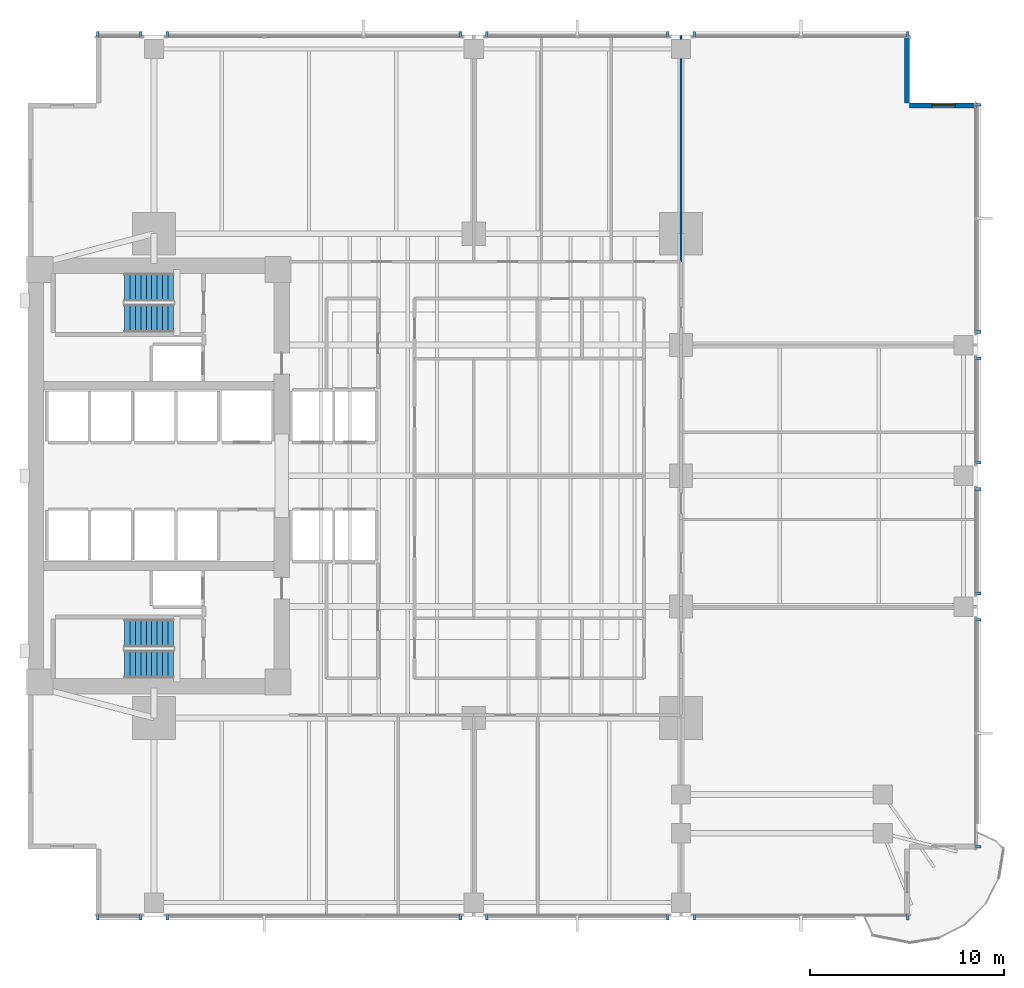
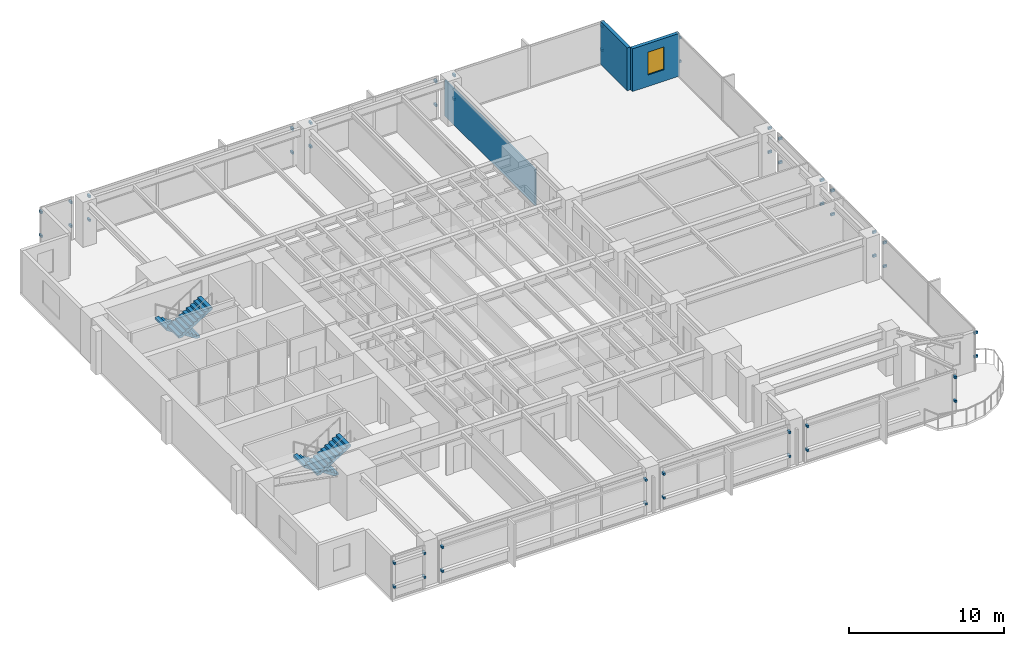
# One storey, part 11 of 16: 48 discrete accessories, 4 stair flights, 3 walls, 1 window, 1 opening, 2 elements without a shape of their own.
"""IFC4 building model written with IfcOpenShell, lengths in metres."""

from ifc_helpers import new_model, si_unit, direction, frame, frame_2d, origin, origin_2d, place, context, subcontext, project, spatial, polyline, rectangle, outline, extrude, material, layer, layer_set, type_object, element, fill, aggregate, save


model = new_model("IFC4")

# Units and contexts
model_context = context("Model", 3, precision=1e-05, world=origin(), true_north=direction((0.0, 1.0)))
body_context = subcontext(model_context, "Body", "Model", "MODEL_VIEW")
ifc_project = project(units=[si_unit("LENGTHUNIT", "METRE"), si_unit("AREAUNIT", "SQUARE_METRE"), si_unit("VOLUMEUNIT", "CUBIC_METRE"), si_unit("PLANEANGLEUNIT", "RADIAN"), si_unit("MASSUNIT", "GRAM", prefix="KILO")], contexts=[model_context])

# Site, building, storey
site_placement = place(None, origin())
site = spatial("IfcSite", under=ifc_project, at=site_placement, CompositionType="ELEMENT")
building_placement = place(site_placement, origin())
building = spatial("IfcBuilding", under=site, at=building_placement, Name="Kinhvarn Gate Tower", CompositionType="ELEMENT")
storey_placement = place(building_placement, frame((0.0, 0.0, 82.39990234375)))
storey = spatial("IfcBuildingStorey", under=building, at=storey_placement, Name="L21", CompositionType="ELEMENT", Elevation=82.39990234375)

# Wall, opening, window
ifc_material_1 = material(Name="Fired architectural terracotta", Category="masonry")
ifc_layer_1 = layer(ifc_material_1, 0.25)
ifc_layer_set_1 = layer_set([ifc_layer_1], Name="Fired architectural terracotta")
wall_type_1 = type_object("IfcWallType", Name="WL-EXT-250", PredefinedType="SOLIDWALL", material=ifc_layer_set_1)
wall_1_placement = place(storey_placement, frame((53.5, 44.375, 0.0), z_axis=(0.0, 0.0, 1.0), x_axis=(-1.0, 0.0, 0.0)))
wall_1 = element("IfcWall", 1, at=wall_1_placement, inside=storey, type_object=wall_type_1, Name="Exterior Solidwall Wall EW-250 (L21 NE-Notch-1)", PredefinedType="SOLIDWALL", context=body_context, shape_type="SweptSolid", body=[
    extrude(rectangle(XDim=3.5, YDim=0.25, at=frame_2d((1.75, 0.0))), origin(), (0.0, 0.0, 1.0), 3.3701171875),
])
opening_placement = place(wall_1_placement, frame((1.14990234375, 0.0, 0.89990234375)))
opening = element("IfcOpeningElement", 2, at=opening_placement, cuts=wall_1, Name="Opening WN-02", PredefinedType="OPENING", context=body_context, shape_type="SweptSolid", body=[
    extrude(rectangle(XDim=1.199951171875, YDim=1.800048828125, at=frame_2d((0.60009765625, 0.89990234375))), frame((0.0, 0.135009765625, 0.0), z_axis=(0.0, -1.0, 0.0), x_axis=(1.0, 0.0, 0.0)), (0.0, 0.0, 1.0), 0.27001953125),
])
ifc_material_2 = material(Name="Clear low-e double glazing", Category="glass")
window_type = type_object("IfcWindowType", Name="WIN-NTC-1200", PartitioningType="SINGLE_PANEL", PredefinedType="WINDOW", material=ifc_material_2)
window_placement = place(opening_placement, origin())
window = element("IfcWindow", 3, at=window_placement, inside=storey, type_object=window_type, Name="Recessed Corner Notch Punched Window 1200x1800 mm (L21)", OverallHeight=1.800048828125, OverallWidth=1.199951171875, PartitioningType="SINGLE_PANEL", PredefinedType="WINDOW", context=body_context, shape_type="SweptSolid", body=[
    extrude(rectangle(XDim=1.199951171875, YDim=1.800048828125, at=frame_2d((0.60009765625, 0.89990234375))), frame((0.0, 0.030029296875, 0.0), z_axis=(0.0, -1.0, 0.0), x_axis=(1.0, 0.0, 0.0)), (0.0, 0.0, 1.0), 0.06005859375),
])
fill(opening, window)

# Walls
wall_2_placement = place(storey_placement, frame((49.875, 44.5, 0.0), z_axis=(0.0, 0.0, 1.0), x_axis=(0.0, 1.0, 0.0)))
element("IfcWall", 4, at=wall_2_placement, inside=storey, type_object=wall_type_1, Name="Exterior Solidwall Wall EW-250 (L21 NE-Notch-2)", PredefinedType="SOLIDWALL", context=body_context, shape_type="SweptSolid", body=[
    extrude(rectangle(XDim=3.5, YDim=0.25, at=frame_2d((1.75, 0.0))), origin(), (0.0, 0.0, 1.0), 3.3701171875),
])
ifc_material_3 = material(Name="Gypsum acoustic partition board")
ifc_layer_2 = layer(ifc_material_3, 0.1201171875)
ifc_layer_set_2 = layer_set([ifc_layer_2], Name="Gypsum acoustic partition board")
wall_type_2 = type_object("IfcWallType", Name="WL-PRT-120", PredefinedType="PARTITIONING", material=ifc_layer_set_2)
wall_3_placement = place(storey_placement, frame((38.199951171875, 36.300048828125, 0.0), z_axis=(0.0, 0.0, 1.0), x_axis=(0.0, 1.0, 0.0)))
element("IfcWall", 5, at=wall_3_placement, inside=storey, type_object=wall_type_2, Name="Interior Partition PW-120 (L21)", PredefinedType="PARTITIONING", context=body_context, shape_type="SweptSolid", body=[
    extrude(rectangle(XDim=11.68994140625, YDim=0.1201171875, at=frame_2d((5.844970703125, 0.0))), origin(), (0.0, 0.0, 1.0), 2.820068359375),
])

# Stair, stair flights
ifc_material_4 = material(Name="Concrete C40/50", Category="concrete")
stair_type = type_object("IfcStairType", Name="STR-DLG-177", PredefinedType="HALF_TURN_STAIR", material=ifc_material_4)
stair_1_placement = place(storey_placement, origin())
stair_1 = element("IfcStair", 6, at=stair_1_placement, inside=storey, type_object=stair_type, Name="L21 Core Smokeproof Exit Stair ST1", PredefinedType="HALF_TURN_STAIR")
stair_flight_type = type_object("IfcStairFlightType", Name="STF-DLG-177", PredefinedType="STRAIGHT", material=ifc_material_4)
stair_flight_1_placement = place(storey_placement, frame((12.0, 17.125, 0.0), z_axis=(0.0, 0.0, 1.0), x_axis=(-1.0, 0.0, 0.0)))
stair_flight_1 = element("IfcStairFlight", 7, at=stair_flight_1_placement, type_object=stair_flight_type, Name="ST1 flight 1", NumberOfRisers=10, NumberOfTreads=9, PredefinedType="STRAIGHT", RiserHeight=0.1775, TreadLength=0.28, context=body_context, shape_type="SweptSolid", body=[
    extrude(outline(polyline([(0.0, 0.0), (0.0, 0.177490234375), (0.280029296875, 0.177490234375), (0.280029296875, 0.35498046875), (0.56005859375, 0.35498046875), (0.56005859375, 0.532470703125), (0.840087890625, 0.532470703125), (0.840087890625, 0.7099609375), (1.1201171875, 0.7099609375), (1.1201171875, 0.887451171875), (1.39990234375, 0.887451171875), (1.39990234375, 1.06494140625), (1.679931640625, 1.06494140625), (1.679931640625, 1.242431640625), (1.9599609375, 1.242431640625), (1.9599609375, 1.419921875), (2.239990234375, 1.419921875), (2.239990234375, 1.597412109375), (2.52001953125, 1.597412109375), (2.52001953125, 1.77490234375), (2.52001953125, 1.419921875), (0.280029296875, 0.0), (0.0, 0.0)])), frame((0.0, 0.72509765625, 0.0), z_axis=(0.0, -1.0, 0.0), x_axis=(1.0, 0.0, 0.0)), (0.0, 0.0, 1.0), 1.449951171875),
])
stair_flight_2_placement = place(storey_placement, frame((9.47998046875, 15.52490234375, 1.775146484375), z_axis=(0.0, 0.0, 1.0), x_axis=(1.0, 0.0, 0.0)))
stair_flight_2 = element("IfcStairFlight", 8, at=stair_flight_2_placement, type_object=stair_flight_type, Name="ST1 flight 2", NumberOfRisers=10, NumberOfTreads=9, PredefinedType="STRAIGHT", RiserHeight=0.1775, TreadLength=0.28, context=body_context, shape_type="SweptSolid", body=[
    extrude(outline(polyline([(0.0, 0.0), (0.0, 0.177490234375), (0.280029296875, 0.177490234375), (0.280029296875, 0.35498046875), (0.56005859375, 0.35498046875), (0.56005859375, 0.532470703125), (0.840087890625, 0.532470703125), (0.840087890625, 0.7099609375), (1.1201171875, 0.7099609375), (1.1201171875, 0.887451171875), (1.39990234375, 0.887451171875), (1.39990234375, 1.06494140625), (1.679931640625, 1.06494140625), (1.679931640625, 1.242431640625), (1.9599609375, 1.242431640625), (1.9599609375, 1.419921875), (2.239990234375, 1.419921875), (2.239990234375, 1.597412109375), (2.52001953125, 1.597412109375), (2.52001953125, 1.77490234375), (2.52001953125, 1.419921875), (0.280029296875, 0.0), (0.0, 0.0)])), frame((0.0, 0.72509765625, 0.0), z_axis=(0.0, -1.0, 0.0), x_axis=(1.0, 0.0, 0.0)), (0.0, 0.0, 1.0), 1.449951171875),
])
aggregate(stair_1, [stair_flight_1, stair_flight_2])

stair_2_placement = place(storey_placement, origin())
stair_2 = element("IfcStair", 9, at=stair_2_placement, inside=storey, type_object=stair_type, Name="L21 Core Smokeproof Exit Stair ST2", PredefinedType="HALF_TURN_STAIR")
stair_flight_3_placement = place(storey_placement, frame((12.0, 34.97509765625, 0.0), z_axis=(0.0, 0.0, 1.0), x_axis=(-1.0, 0.0, 0.0)))
stair_flight_3 = element("IfcStairFlight", 10, at=stair_flight_3_placement, type_object=stair_flight_type, Name="ST2 flight 1", NumberOfRisers=10, NumberOfTreads=9, PredefinedType="STRAIGHT", RiserHeight=0.1775, TreadLength=0.28, context=body_context, shape_type="SweptSolid", body=[
    extrude(outline(polyline([(0.0, 0.0), (0.0, 0.177490234375), (0.280029296875, 0.177490234375), (0.280029296875, 0.35498046875), (0.56005859375, 0.35498046875), (0.56005859375, 0.532470703125), (0.840087890625, 0.532470703125), (0.840087890625, 0.7099609375), (1.1201171875, 0.7099609375), (1.1201171875, 0.887451171875), (1.39990234375, 0.887451171875), (1.39990234375, 1.06494140625), (1.679931640625, 1.06494140625), (1.679931640625, 1.242431640625), (1.9599609375, 1.242431640625), (1.9599609375, 1.419921875), (2.239990234375, 1.419921875), (2.239990234375, 1.597412109375), (2.52001953125, 1.597412109375), (2.52001953125, 1.77490234375), (2.52001953125, 1.419921875), (0.280029296875, 0.0), (0.0, 0.0)])), frame((0.0, 0.72509765625, 0.0), z_axis=(0.0, -1.0, 0.0), x_axis=(1.0, 0.0, 0.0)), (0.0, 0.0, 1.0), 1.449951171875),
])
stair_flight_4_placement = place(storey_placement, frame((9.47998046875, 33.375, 1.775146484375), z_axis=(0.0, 0.0, 1.0), x_axis=(1.0, 0.0, 0.0)))
stair_flight_4 = element("IfcStairFlight", 11, at=stair_flight_4_placement, type_object=stair_flight_type, Name="ST2 flight 2", NumberOfRisers=10, NumberOfTreads=9, PredefinedType="STRAIGHT", RiserHeight=0.1775, TreadLength=0.28, context=body_context, shape_type="SweptSolid", body=[
    extrude(outline(polyline([(0.0, 0.0), (0.0, 0.177490234375), (0.280029296875, 0.177490234375), (0.280029296875, 0.35498046875), (0.56005859375, 0.35498046875), (0.56005859375, 0.532470703125), (0.840087890625, 0.532470703125), (0.840087890625, 0.7099609375), (1.1201171875, 0.7099609375), (1.1201171875, 0.887451171875), (1.39990234375, 0.887451171875), (1.39990234375, 1.06494140625), (1.679931640625, 1.06494140625), (1.679931640625, 1.242431640625), (1.9599609375, 1.242431640625), (1.9599609375, 1.419921875), (2.239990234375, 1.419921875), (2.239990234375, 1.597412109375), (2.52001953125, 1.597412109375), (2.52001953125, 1.77490234375), (2.52001953125, 1.419921875), (0.280029296875, 0.0), (0.0, 0.0)])), frame((0.0, 0.72509765625, 0.0), z_axis=(0.0, -1.0, 0.0), x_axis=(1.0, 0.0, 0.0)), (0.0, 0.0, 1.0), 1.449951171875),
])
aggregate(stair_2, [stair_flight_3, stair_flight_4])

# Discrete accessories
ifc_material_5 = material(Name="Anodised aluminium AW-6063", Category="aluminium")
discrete_accessory_type = type_object("IfcDiscreteAccessoryType", Name="ACC-BRK-01", PredefinedType="BRACKET", material=ifc_material_5)
for number, where, z_axis, x_axis, name in (
    (12, (8.10009765625, 2.4599609375, 0.9599609375), (0.0, 0.0, 1.0), (1.0, 0.0, 0.0), "Baguette Support Bracket BK-01 (L21)"),
    (13, (8.10009765625, 2.4599609375, 2.830078125), (0.0, 0.0, 1.0), (1.0, 0.0, 0.0), "Baguette Support Bracket BK-01 (L21)"),
    (14, (10.320068359375, 2.4599609375, 0.9599609375), (0.0, 0.0, 1.0), (1.0, 0.0, 0.0), "Baguette Support Bracket BK-01 (L21)"),
    (15, (10.320068359375, 2.4599609375, 2.830078125), (0.0, 0.0, 1.0), (1.0, 0.0, 0.0), "Baguette Support Bracket BK-01 (L21)"),
    (16, (11.679931640625, 2.4599609375, 0.9599609375), (0.0, 0.0, 1.0), (1.0, 0.0, 0.0), "Baguette Support Bracket BK-01 (L21)"),
    (17, (11.679931640625, 2.4599609375, 2.830078125), (0.0, 0.0, 1.0), (1.0, 0.0, 0.0), "Baguette Support Bracket BK-01 (L21)"),
    (18, (26.820068359375, 2.4599609375, 0.9599609375), (0.0, 0.0, 1.0), (1.0, 0.0, 0.0), "Baguette Support Bracket BK-01 (L21)"),
    (19, (26.820068359375, 2.4599609375, 2.830078125), (0.0, 0.0, 1.0), (1.0, 0.0, 0.0), "Baguette Support Bracket BK-01 (L21)"),
    (20, (28.179931640625, 2.4599609375, 0.9599609375), (0.0, 0.0, 1.0), (1.0, 0.0, 0.0), "Baguette Support Bracket BK-01 (L21)"),
    (21, (28.179931640625, 2.4599609375, 2.830078125), (0.0, 0.0, 1.0), (1.0, 0.0, 0.0), "Baguette Support Bracket BK-01 (L21)"),
    (22, (37.52001953125, 2.4599609375, 0.9599609375), (0.0, 0.0, 1.0), (1.0, 0.0, 0.0), "Baguette Support Bracket BK-01 (L21)"),
    (23, (37.52001953125, 2.4599609375, 2.830078125), (0.0, 0.0, 1.0), (1.0, 0.0, 0.0), "Baguette Support Bracket BK-01 (L21)"),
    (24, (38.8798828125, 2.4599609375, 0.9599609375), (0.0, 0.0, 1.0), (1.0, 0.0, 0.0), "Baguette Support Bracket BK-01 (L21)"),
    (25, (38.8798828125, 2.4599609375, 2.830078125), (0.0, 0.0, 1.0), (1.0, 0.0, 0.0), "Baguette Support Bracket BK-01 (L21)"),
    (26, (49.89990234375, 2.4599609375, 0.9599609375), (0.0, 0.0, 1.0), (1.0, 0.0, 0.0), "Baguette Support Bracket BK-01 (L21)"),
    (27, (49.89990234375, 2.4599609375, 2.830078125), (0.0, 0.0, 1.0), (1.0, 0.0, 0.0), "Baguette Support Bracket BK-01 (L21)"),
    (28, (49.89990234375, 48.0400390625, 0.9599609375), (0.0, 0.0, 1.0), (-1.0, 0.0, 0.0), "Baguette Support Bracket BK-01 (L21)"),
    (29, (49.89990234375, 48.0400390625, 2.830078125), (0.0, 0.0, 1.0), (-1.0, 0.0, 0.0), "Baguette Support Bracket BK-01 (L21)"),
    (30, (38.8798828125, 48.0400390625, 0.9599609375), (0.0, 0.0, 1.0), (-1.0, 0.0, 0.0), "Baguette Support Bracket BK-01 (L21)"),
    (31, (38.8798828125, 48.0400390625, 2.830078125), (0.0, 0.0, 1.0), (-1.0, 0.0, 0.0), "Baguette Support Bracket BK-01 (L21)"),
    (32, (37.52001953125, 48.0400390625, 0.9599609375), (0.0, 0.0, 1.0), (-1.0, 0.0, 0.0), "Baguette Support Bracket BK-01 (L21)"),
    (33, (37.52001953125, 48.0400390625, 2.830078125), (0.0, 0.0, 1.0), (-1.0, 0.0, 0.0), "Baguette Support Bracket BK-01 (L21)"),
    (34, (28.179931640625, 48.0400390625, 0.9599609375), (0.0, 0.0, 1.0), (-1.0, 0.0, 0.0), "Baguette Support Bracket BK-01 (L21)"),
    (35, (28.179931640625, 48.0400390625, 2.830078125), (0.0, 0.0, 1.0), (-1.0, 0.0, 0.0), "Baguette Support Bracket BK-01 (L21)"),
    (36, (26.820068359375, 48.0400390625, 0.9599609375), (0.0, 0.0, 1.0), (-1.0, 0.0, 0.0), "Baguette Support Bracket BK-01 (L21)"),
    (37, (26.820068359375, 48.0400390625, 2.830078125), (0.0, 0.0, 1.0), (-1.0, 0.0, 0.0), "Baguette Support Bracket BK-01 (L21)"),
    (38, (11.679931640625, 48.0400390625, 0.9599609375), (0.0, 0.0, 1.0), (-1.0, 0.0, 0.0), "Baguette Support Bracket BK-01 (L21)"),
    (39, (11.679931640625, 48.0400390625, 2.830078125), (0.0, 0.0, 1.0), (-1.0, 0.0, 0.0), "Baguette Support Bracket BK-01 (L21)"),
    (40, (10.320068359375, 48.0400390625, 0.9599609375), (0.0, 0.0, 1.0), (-1.0, 0.0, 0.0), "Baguette Support Bracket BK-01 (L21)"),
    (41, (10.320068359375, 48.0400390625, 2.830078125), (0.0, 0.0, 1.0), (-1.0, 0.0, 0.0), "Baguette Support Bracket BK-01 (L21)"),
    (42, (8.10009765625, 48.0400390625, 0.9599609375), (0.0, 0.0, 1.0), (-1.0, 0.0, 0.0), "Baguette Support Bracket BK-01 (L21)"),
    (43, (8.10009765625, 48.0400390625, 2.830078125), (0.0, 0.0, 1.0), (-1.0, 0.0, 0.0), "Baguette Support Bracket BK-01 (L21)"),
    (44, (53.5400390625, 6.10009765625, 0.9599609375), (0.0, 0.0, 1.0), (0.0, 1.0, 0.0), "Baguette Support Bracket BK-01 (L21)"),
    (45, (53.5400390625, 6.10009765625, 2.830078125), (0.0, 0.0, 1.0), (0.0, 1.0, 0.0), "Baguette Support Bracket BK-01 (L21)"),
    (46, (53.5400390625, 17.820068359375, 0.9599609375), (0.0, 0.0, 1.0), (0.0, 1.0, 0.0), "Baguette Support Bracket BK-01 (L21)"),
    (47, (53.5400390625, 17.820068359375, 2.830078125), (0.0, 0.0, 1.0), (0.0, 1.0, 0.0), "Baguette Support Bracket BK-01 (L21)"),
    (48, (53.5400390625, 19.179931640625, 0.9599609375), (0.0, 0.0, 1.0), (0.0, 1.0, 0.0), "Baguette Support Bracket BK-01 (L21)"),
    (49, (53.5400390625, 19.179931640625, 2.830078125), (0.0, 0.0, 1.0), (0.0, 1.0, 0.0), "Baguette Support Bracket BK-01 (L21)"),
    (50, (53.5400390625, 24.570068359375, 0.9599609375), (0.0, 0.0, 1.0), (0.0, 1.0, 0.0), "Baguette Support Bracket BK-01 (L21)"),
    (51, (53.5400390625, 24.570068359375, 2.830078125), (0.0, 0.0, 1.0), (0.0, 1.0, 0.0), "Baguette Support Bracket BK-01 (L21)"),
    (52, (53.5400390625, 25.929931640625, 0.9599609375), (0.0, 0.0, 1.0), (0.0, 1.0, 0.0), "Baguette Support Bracket BK-01 (L21)"),
    (53, (53.5400390625, 25.929931640625, 2.830078125), (0.0, 0.0, 1.0), (0.0, 1.0, 0.0), "Baguette Support Bracket BK-01 (L21)"),
    (54, (53.5400390625, 31.320068359375, 0.9599609375), (0.0, 0.0, 1.0), (0.0, 1.0, 0.0), "Baguette Support Bracket BK-01 (L21)"),
    (55, (53.5400390625, 31.320068359375, 2.830078125), (0.0, 0.0, 1.0), (0.0, 1.0, 0.0), "Baguette Support Bracket BK-01 (L21)"),
    (56, (53.5400390625, 32.679931640625, 0.9599609375), (0.0, 0.0, 1.0), (0.0, 1.0, 0.0), "Baguette Support Bracket BK-01 (L21)"),
    (57, (53.5400390625, 32.679931640625, 2.830078125), (0.0, 0.0, 1.0), (0.0, 1.0, 0.0), "Baguette Support Bracket BK-01 (L21)"),
    (58, (53.5400390625, 44.39990234375, 0.9599609375), (0.0, 0.0, 1.0), (0.0, 1.0, 0.0), "Baguette Support Bracket BK-01 (L21)"),
    (59, (53.5400390625, 44.39990234375, 2.830078125), (0.0, 0.0, 1.0), (0.0, 1.0, 0.0), "Baguette Support Bracket BK-01 (L21)"),
):
    element("IfcDiscreteAccessory", number, at=place(storey_placement, frame(where, z_axis=z_axis, x_axis=x_axis)), inside=storey, type_object=discrete_accessory_type, Name=name, PredefinedType="BRACKET", context=body_context, shape_type="SweptSolid", body=[
        extrude(rectangle(XDim=0.139892578125, YDim=0.280029296875, at=origin_2d()), origin(), (0.0, 0.0, 1.0), 0.179931640625),
    ])

save(model, "model.ifc")
